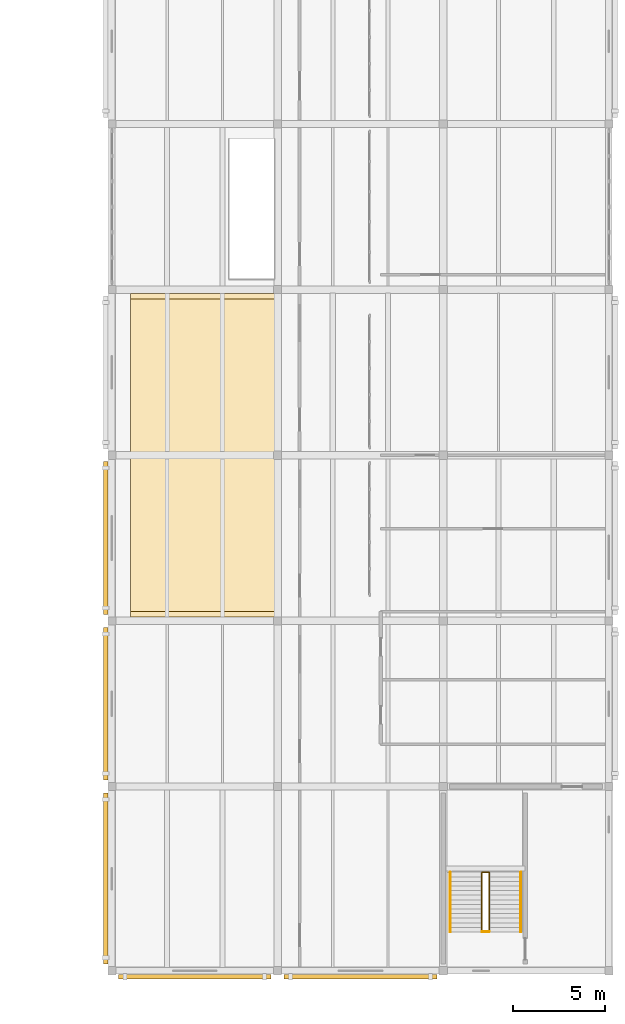
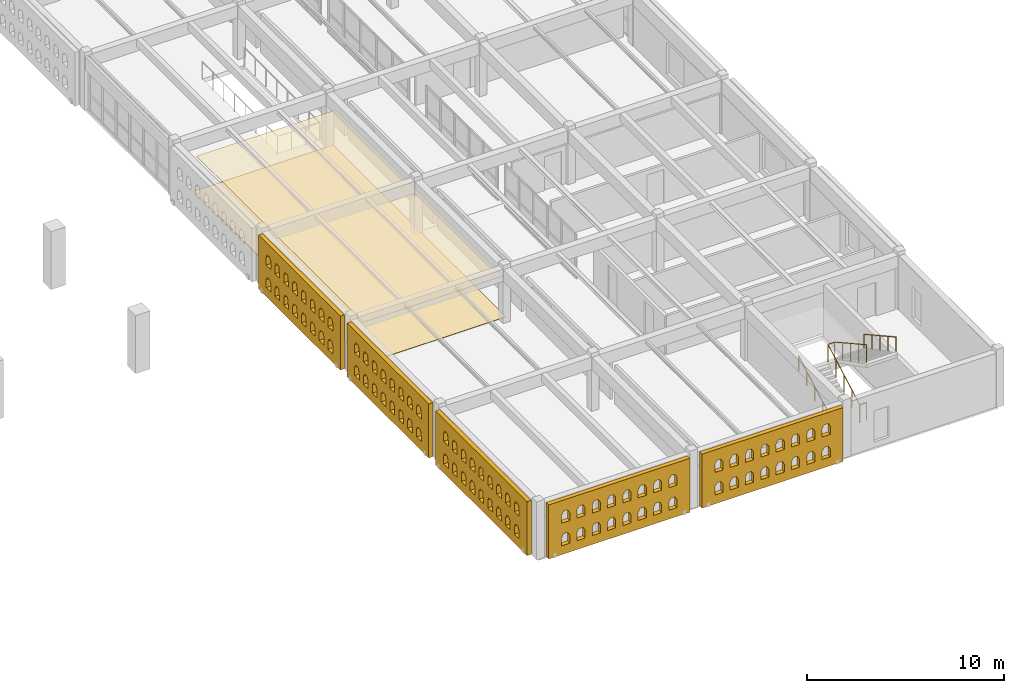
# One storey, part 77 of 80: 7 coverings, 4 railings.
"""IFC4 building model written with IfcOpenShell, lengths in metres."""

from ifc_helpers import new_model, si_unit, direction, frame, origin, origin_2d, place, context, subcontext, project, spatial, polyline, circle, outline, extrude, material, layer, layer_set, type_object, element, save


model = new_model("IFC4")

# Units and contexts
model_context = context("Model", 3, precision=1e-05, world=origin(), true_north=direction((0.0, 1.0)))
body_context = subcontext(model_context, "Body", "Model", "MODEL_VIEW")
ifc_project = project(units=[si_unit("LENGTHUNIT", "METRE"), si_unit("AREAUNIT", "SQUARE_METRE"), si_unit("VOLUMEUNIT", "CUBIC_METRE"), si_unit("PLANEANGLEUNIT", "RADIAN"), si_unit("MASSUNIT", "GRAM", prefix="KILO")], contexts=[model_context])

# Site, building, storey
site_placement = place(None, origin())
site = spatial("IfcSite", under=ifc_project, at=site_placement, CompositionType="ELEMENT")
building_placement = place(site_placement, origin())
building = spatial("IfcBuilding", under=site, at=building_placement, Name="Ornek Quay Market", CompositionType="ELEMENT")
storey_placement = place(building_placement, frame((0.0, 0.0, 8.39990234375)))
storey = spatial("IfcBuildingStorey", under=building, at=storey_placement, Name="L02", CompositionType="ELEMENT", Elevation=8.39990234375)

# Coverings
ifc_material_1 = material(Name="Frost-resistant facing clay brick M200 F100", Category="masonry")
ifc_layer_1 = layer(ifc_material_1, 0.25, Name="Frost-resistant facing clay brick M200 F100", Category="masonry")
ifc_layer_set_1 = layer_set([ifc_layer_1], Name="Frost-resistant facing clay brick M200 F100")
covering_type_1 = type_object("IfcCoveringType", Name="COV-BRICK-LATTICE-250", PredefinedType="CLADDING", material=ifc_layer_set_1)
covering_1_placement = place(storey_placement, frame((152.669921875, 10.35009765625, 0.0), z_axis=(0.0, 0.0, 1.0), x_axis=(0.0, 1.0, 0.0)))
element("IfcCovering", 1, at=covering_1_placement, inside=storey, type_object=covering_type_1, Name="Arched brick lattice screen BLS-108", PredefinedType="CLADDING", context=body_context, shape_type="SweptSolid", body=[
    extrude(outline(polyline([(0.0, 0.0), (9.2998046875, 0.0), (9.2998046875, 3.35009765625), (0.0, 3.35009765625), (0.0, 0.0)]), holes=[polyline([(0.81005859375, 0.550048828125), (1.2900390625, 0.550048828125), (1.2900390625, 1.050048828125), (1.169921875, 1.2578125), (0.929931640625, 1.2578125), (0.81005859375, 1.050048828125), (0.81005859375, 0.550048828125)]), polyline([(0.81005859375, 1.949951171875), (1.2900390625, 1.949951171875), (1.2900390625, 2.449951171875), (1.169921875, 2.65771484375), (0.929931640625, 2.65771484375), (0.81005859375, 2.449951171875), (0.81005859375, 1.949951171875)]), polyline([(1.7099609375, 0.550048828125), (2.18994140625, 0.550048828125), (2.18994140625, 1.050048828125), (2.070068359375, 1.2578125), (1.830078125, 1.2578125), (1.7099609375, 1.050048828125), (1.7099609375, 0.550048828125)]), polyline([(1.7099609375, 1.949951171875), (2.18994140625, 1.949951171875), (2.18994140625, 2.449951171875), (2.070068359375, 2.65771484375), (1.830078125, 2.65771484375), (1.7099609375, 2.449951171875), (1.7099609375, 1.949951171875)]), polyline([(2.610107421875, 0.550048828125), (3.090087890625, 0.550048828125), (3.090087890625, 1.050048828125), (2.969970703125, 1.2578125), (2.72998046875, 1.2578125), (2.610107421875, 1.050048828125), (2.610107421875, 0.550048828125)]), polyline([(2.610107421875, 1.949951171875), (3.090087890625, 1.949951171875), (3.090087890625, 2.449951171875), (2.969970703125, 2.65771484375), (2.72998046875, 2.65771484375), (2.610107421875, 2.449951171875), (2.610107421875, 1.949951171875)]), polyline([(3.510009765625, 0.550048828125), (3.989990234375, 0.550048828125), (3.989990234375, 1.050048828125), (3.8701171875, 1.2578125), (3.6298828125, 1.2578125), (3.510009765625, 1.050048828125), (3.510009765625, 0.550048828125)]), polyline([(3.510009765625, 1.949951171875), (3.989990234375, 1.949951171875), (3.989990234375, 2.449951171875), (3.8701171875, 2.65771484375), (3.6298828125, 2.65771484375), (3.510009765625, 2.449951171875), (3.510009765625, 1.949951171875)]), polyline([(4.409912109375, 0.550048828125), (4.889892578125, 0.550048828125), (4.889892578125, 1.050048828125), (4.77001953125, 1.2578125), (4.530029296875, 1.2578125), (4.409912109375, 1.050048828125), (4.409912109375, 0.550048828125)]), polyline([(4.409912109375, 1.949951171875), (4.889892578125, 1.949951171875), (4.889892578125, 2.449951171875), (4.77001953125, 2.65771484375), (4.530029296875, 2.65771484375), (4.409912109375, 2.449951171875), (4.409912109375, 1.949951171875)]), polyline([(5.31005859375, 0.550048828125), (5.7900390625, 0.550048828125), (5.7900390625, 1.050048828125), (5.669921875, 1.2578125), (5.429931640625, 1.2578125), (5.31005859375, 1.050048828125), (5.31005859375, 0.550048828125)]), polyline([(5.31005859375, 1.949951171875), (5.7900390625, 1.949951171875), (5.7900390625, 2.449951171875), (5.669921875, 2.65771484375), (5.429931640625, 2.65771484375), (5.31005859375, 2.449951171875), (5.31005859375, 1.949951171875)]), polyline([(6.2099609375, 0.550048828125), (6.68994140625, 0.550048828125), (6.68994140625, 1.050048828125), (6.570068359375, 1.2578125), (6.330078125, 1.2578125), (6.2099609375, 1.050048828125), (6.2099609375, 0.550048828125)]), polyline([(6.2099609375, 1.949951171875), (6.68994140625, 1.949951171875), (6.68994140625, 2.449951171875), (6.570068359375, 2.65771484375), (6.330078125, 2.65771484375), (6.2099609375, 2.449951171875), (6.2099609375, 1.949951171875)]), polyline([(7.110107421875, 0.550048828125), (7.590087890625, 0.550048828125), (7.590087890625, 1.050048828125), (7.469970703125, 1.2578125), (7.22998046875, 1.2578125), (7.110107421875, 1.050048828125), (7.110107421875, 0.550048828125)]), polyline([(7.110107421875, 1.949951171875), (7.590087890625, 1.949951171875), (7.590087890625, 2.449951171875), (7.469970703125, 2.65771484375), (7.22998046875, 2.65771484375), (7.110107421875, 2.449951171875), (7.110107421875, 1.949951171875)]), polyline([(8.010009765625, 0.550048828125), (8.489990234375, 0.550048828125), (8.489990234375, 1.050048828125), (8.3701171875, 1.2578125), (8.1298828125, 1.2578125), (8.010009765625, 1.050048828125), (8.010009765625, 0.550048828125)]), polyline([(8.010009765625, 1.949951171875), (8.489990234375, 1.949951171875), (8.489990234375, 2.449951171875), (8.3701171875, 2.65771484375), (8.1298828125, 2.65771484375), (8.010009765625, 2.449951171875), (8.010009765625, 1.949951171875)])]), frame((0.0, 0.125, 0.0), z_axis=(0.0, -1.0, 0.0), x_axis=(1.0, 0.0, 0.0)), (0.0, 0.0, 1.0), 0.25),
])
covering_2_placement = place(storey_placement, frame((152.669921875, 20.35009765625, 0.0), z_axis=(0.0, 0.0, 1.0), x_axis=(0.0, 1.0, 0.0)))
element("IfcCovering", 2, at=covering_2_placement, inside=storey, type_object=covering_type_1, Name="Arched brick lattice screen BLS-109", PredefinedType="CLADDING", context=body_context, shape_type="SweptSolid", body=[
    extrude(outline(polyline([(0.0, 0.0), (8.2998046875, 0.0), (8.2998046875, 3.35009765625), (0.0, 3.35009765625), (0.0, 0.0)]), holes=[polyline([(0.760009765625, 0.550048828125), (1.239990234375, 0.550048828125), (1.239990234375, 1.050048828125), (1.1201171875, 1.2578125), (0.8798828125, 1.2578125), (0.760009765625, 1.050048828125), (0.760009765625, 0.550048828125)]), polyline([(0.760009765625, 1.949951171875), (1.239990234375, 1.949951171875), (1.239990234375, 2.449951171875), (1.1201171875, 2.65771484375), (0.8798828125, 2.65771484375), (0.760009765625, 2.449951171875), (0.760009765625, 1.949951171875)]), polyline([(1.659912109375, 0.550048828125), (2.139892578125, 0.550048828125), (2.139892578125, 1.050048828125), (2.02001953125, 1.2578125), (1.780029296875, 1.2578125), (1.659912109375, 1.050048828125), (1.659912109375, 0.550048828125)]), polyline([(1.659912109375, 1.949951171875), (2.139892578125, 1.949951171875), (2.139892578125, 2.449951171875), (2.02001953125, 2.65771484375), (1.780029296875, 2.65771484375), (1.659912109375, 2.449951171875), (1.659912109375, 1.949951171875)]), polyline([(2.56005859375, 0.550048828125), (3.0400390625, 0.550048828125), (3.0400390625, 1.050048828125), (2.919921875, 1.2578125), (2.679931640625, 1.2578125), (2.56005859375, 1.050048828125), (2.56005859375, 0.550048828125)]), polyline([(2.56005859375, 1.949951171875), (3.0400390625, 1.949951171875), (3.0400390625, 2.449951171875), (2.919921875, 2.65771484375), (2.679931640625, 2.65771484375), (2.56005859375, 2.449951171875), (2.56005859375, 1.949951171875)]), polyline([(3.4599609375, 0.550048828125), (3.93994140625, 0.550048828125), (3.93994140625, 1.050048828125), (3.820068359375, 1.2578125), (3.580078125, 1.2578125), (3.4599609375, 1.050048828125), (3.4599609375, 0.550048828125)]), polyline([(3.4599609375, 1.949951171875), (3.93994140625, 1.949951171875), (3.93994140625, 2.449951171875), (3.820068359375, 2.65771484375), (3.580078125, 2.65771484375), (3.4599609375, 2.449951171875), (3.4599609375, 1.949951171875)]), polyline([(4.360107421875, 0.550048828125), (4.840087890625, 0.550048828125), (4.840087890625, 1.050048828125), (4.719970703125, 1.2578125), (4.47998046875, 1.2578125), (4.360107421875, 1.050048828125), (4.360107421875, 0.550048828125)]), polyline([(4.360107421875, 1.949951171875), (4.840087890625, 1.949951171875), (4.840087890625, 2.449951171875), (4.719970703125, 2.65771484375), (4.47998046875, 2.65771484375), (4.360107421875, 2.449951171875), (4.360107421875, 1.949951171875)]), polyline([(5.260009765625, 0.550048828125), (5.739990234375, 0.550048828125), (5.739990234375, 1.050048828125), (5.6201171875, 1.2578125), (5.3798828125, 1.2578125), (5.260009765625, 1.050048828125), (5.260009765625, 0.550048828125)]), polyline([(5.260009765625, 1.949951171875), (5.739990234375, 1.949951171875), (5.739990234375, 2.449951171875), (5.6201171875, 2.65771484375), (5.3798828125, 2.65771484375), (5.260009765625, 2.449951171875), (5.260009765625, 1.949951171875)]), polyline([(6.159912109375, 0.550048828125), (6.639892578125, 0.550048828125), (6.639892578125, 1.050048828125), (6.52001953125, 1.2578125), (6.280029296875, 1.2578125), (6.159912109375, 1.050048828125), (6.159912109375, 0.550048828125)]), polyline([(6.159912109375, 1.949951171875), (6.639892578125, 1.949951171875), (6.639892578125, 2.449951171875), (6.52001953125, 2.65771484375), (6.280029296875, 2.65771484375), (6.159912109375, 2.449951171875), (6.159912109375, 1.949951171875)]), polyline([(7.06005859375, 0.550048828125), (7.5400390625, 0.550048828125), (7.5400390625, 1.050048828125), (7.419921875, 1.2578125), (7.179931640625, 1.2578125), (7.06005859375, 1.050048828125), (7.06005859375, 0.550048828125)]), polyline([(7.06005859375, 1.949951171875), (7.5400390625, 1.949951171875), (7.5400390625, 2.449951171875), (7.419921875, 2.65771484375), (7.179931640625, 2.65771484375), (7.06005859375, 2.449951171875), (7.06005859375, 1.949951171875)])]), frame((0.0, 0.125, 0.0), z_axis=(0.0, -1.0, 0.0), x_axis=(1.0, 0.0, 0.0)), (0.0, 0.0, 1.0), 0.25),
])
covering_3_placement = place(storey_placement, frame((152.669921875, 29.35009765625, 0.0), z_axis=(0.0, 0.0, 1.0), x_axis=(0.0, 1.0, 0.0)))
element("IfcCovering", 3, at=covering_3_placement, inside=storey, type_object=covering_type_1, Name="Arched brick lattice screen BLS-110", PredefinedType="CLADDING", context=body_context, shape_type="SweptSolid", body=[
    extrude(outline(polyline([(0.0, 0.0), (8.2998046875, 0.0), (8.2998046875, 3.35009765625), (0.0, 3.35009765625), (0.0, 0.0)]), holes=[polyline([(0.760009765625, 0.550048828125), (1.239990234375, 0.550048828125), (1.239990234375, 1.050048828125), (1.1201171875, 1.2578125), (0.8798828125, 1.2578125), (0.760009765625, 1.050048828125), (0.760009765625, 0.550048828125)]), polyline([(0.760009765625, 1.949951171875), (1.239990234375, 1.949951171875), (1.239990234375, 2.449951171875), (1.1201171875, 2.65771484375), (0.8798828125, 2.65771484375), (0.760009765625, 2.449951171875), (0.760009765625, 1.949951171875)]), polyline([(1.659912109375, 0.550048828125), (2.139892578125, 0.550048828125), (2.139892578125, 1.050048828125), (2.02001953125, 1.2578125), (1.780029296875, 1.2578125), (1.659912109375, 1.050048828125), (1.659912109375, 0.550048828125)]), polyline([(1.659912109375, 1.949951171875), (2.139892578125, 1.949951171875), (2.139892578125, 2.449951171875), (2.02001953125, 2.65771484375), (1.780029296875, 2.65771484375), (1.659912109375, 2.449951171875), (1.659912109375, 1.949951171875)]), polyline([(2.56005859375, 0.550048828125), (3.0400390625, 0.550048828125), (3.0400390625, 1.050048828125), (2.919921875, 1.2578125), (2.679931640625, 1.2578125), (2.56005859375, 1.050048828125), (2.56005859375, 0.550048828125)]), polyline([(2.56005859375, 1.949951171875), (3.0400390625, 1.949951171875), (3.0400390625, 2.449951171875), (2.919921875, 2.65771484375), (2.679931640625, 2.65771484375), (2.56005859375, 2.449951171875), (2.56005859375, 1.949951171875)]), polyline([(3.4599609375, 0.550048828125), (3.93994140625, 0.550048828125), (3.93994140625, 1.050048828125), (3.820068359375, 1.2578125), (3.580078125, 1.2578125), (3.4599609375, 1.050048828125), (3.4599609375, 0.550048828125)]), polyline([(3.4599609375, 1.949951171875), (3.93994140625, 1.949951171875), (3.93994140625, 2.449951171875), (3.820068359375, 2.65771484375), (3.580078125, 2.65771484375), (3.4599609375, 2.449951171875), (3.4599609375, 1.949951171875)]), polyline([(4.360107421875, 0.550048828125), (4.840087890625, 0.550048828125), (4.840087890625, 1.050048828125), (4.719970703125, 1.2578125), (4.47998046875, 1.2578125), (4.360107421875, 1.050048828125), (4.360107421875, 0.550048828125)]), polyline([(4.360107421875, 1.949951171875), (4.840087890625, 1.949951171875), (4.840087890625, 2.449951171875), (4.719970703125, 2.65771484375), (4.47998046875, 2.65771484375), (4.360107421875, 2.449951171875), (4.360107421875, 1.949951171875)]), polyline([(5.260009765625, 0.550048828125), (5.739990234375, 0.550048828125), (5.739990234375, 1.050048828125), (5.6201171875, 1.2578125), (5.3798828125, 1.2578125), (5.260009765625, 1.050048828125), (5.260009765625, 0.550048828125)]), polyline([(5.260009765625, 1.949951171875), (5.739990234375, 1.949951171875), (5.739990234375, 2.449951171875), (5.6201171875, 2.65771484375), (5.3798828125, 2.65771484375), (5.260009765625, 2.449951171875), (5.260009765625, 1.949951171875)]), polyline([(6.159912109375, 0.550048828125), (6.639892578125, 0.550048828125), (6.639892578125, 1.050048828125), (6.52001953125, 1.2578125), (6.280029296875, 1.2578125), (6.159912109375, 1.050048828125), (6.159912109375, 0.550048828125)]), polyline([(6.159912109375, 1.949951171875), (6.639892578125, 1.949951171875), (6.639892578125, 2.449951171875), (6.52001953125, 2.65771484375), (6.280029296875, 2.65771484375), (6.159912109375, 2.449951171875), (6.159912109375, 1.949951171875)]), polyline([(7.06005859375, 0.550048828125), (7.5400390625, 0.550048828125), (7.5400390625, 1.050048828125), (7.419921875, 1.2578125), (7.179931640625, 1.2578125), (7.06005859375, 1.050048828125), (7.06005859375, 0.550048828125)]), polyline([(7.06005859375, 1.949951171875), (7.5400390625, 1.949951171875), (7.5400390625, 2.449951171875), (7.419921875, 2.65771484375), (7.179931640625, 2.65771484375), (7.06005859375, 2.449951171875), (7.06005859375, 1.949951171875)])]), frame((0.0, 0.125, 0.0), z_axis=(0.0, -1.0, 0.0), x_axis=(1.0, 0.0, 0.0)), (0.0, 0.0, 1.0), 0.25),
])
covering_4_placement = place(storey_placement, frame((153.35009765625, 9.669921875, 0.0), z_axis=(0.0, 0.0, 1.0), x_axis=(1.0, 0.0, 0.0)))
element("IfcCovering", 4, at=covering_4_placement, inside=storey, type_object=covering_type_1, Name="Arched brick lattice screen BLS-117", PredefinedType="CLADDING", context=body_context, shape_type="SweptSolid", body=[
    extrude(outline(polyline([(0.0, 0.0), (8.2998046875, 0.0), (8.2998046875, 3.35009765625), (0.0, 3.35009765625), (0.0, 0.0)]), holes=[polyline([(0.760009765625, 0.550048828125), (1.239990234375, 0.550048828125), (1.239990234375, 1.050048828125), (1.1201171875, 1.2578125), (0.8798828125, 1.2578125), (0.760009765625, 1.050048828125), (0.760009765625, 0.550048828125)]), polyline([(0.760009765625, 1.949951171875), (1.239990234375, 1.949951171875), (1.239990234375, 2.449951171875), (1.1201171875, 2.65771484375), (0.8798828125, 2.65771484375), (0.760009765625, 2.449951171875), (0.760009765625, 1.949951171875)]), polyline([(1.659912109375, 0.550048828125), (2.139892578125, 0.550048828125), (2.139892578125, 1.050048828125), (2.02001953125, 1.2578125), (1.780029296875, 1.2578125), (1.659912109375, 1.050048828125), (1.659912109375, 0.550048828125)]), polyline([(1.659912109375, 1.949951171875), (2.139892578125, 1.949951171875), (2.139892578125, 2.449951171875), (2.02001953125, 2.65771484375), (1.780029296875, 2.65771484375), (1.659912109375, 2.449951171875), (1.659912109375, 1.949951171875)]), polyline([(2.56005859375, 0.550048828125), (3.0400390625, 0.550048828125), (3.0400390625, 1.050048828125), (2.919921875, 1.2578125), (2.679931640625, 1.2578125), (2.56005859375, 1.050048828125), (2.56005859375, 0.550048828125)]), polyline([(2.56005859375, 1.949951171875), (3.0400390625, 1.949951171875), (3.0400390625, 2.449951171875), (2.919921875, 2.65771484375), (2.679931640625, 2.65771484375), (2.56005859375, 2.449951171875), (2.56005859375, 1.949951171875)]), polyline([(3.4599609375, 0.550048828125), (3.93994140625, 0.550048828125), (3.93994140625, 1.050048828125), (3.820068359375, 1.2578125), (3.580078125, 1.2578125), (3.4599609375, 1.050048828125), (3.4599609375, 0.550048828125)]), polyline([(3.4599609375, 1.949951171875), (3.93994140625, 1.949951171875), (3.93994140625, 2.449951171875), (3.820068359375, 2.65771484375), (3.580078125, 2.65771484375), (3.4599609375, 2.449951171875), (3.4599609375, 1.949951171875)]), polyline([(4.360107421875, 0.550048828125), (4.840087890625, 0.550048828125), (4.840087890625, 1.050048828125), (4.719970703125, 1.2578125), (4.47998046875, 1.2578125), (4.360107421875, 1.050048828125), (4.360107421875, 0.550048828125)]), polyline([(4.360107421875, 1.949951171875), (4.840087890625, 1.949951171875), (4.840087890625, 2.449951171875), (4.719970703125, 2.65771484375), (4.47998046875, 2.65771484375), (4.360107421875, 2.449951171875), (4.360107421875, 1.949951171875)]), polyline([(5.260009765625, 0.550048828125), (5.739990234375, 0.550048828125), (5.739990234375, 1.050048828125), (5.6201171875, 1.2578125), (5.3798828125, 1.2578125), (5.260009765625, 1.050048828125), (5.260009765625, 0.550048828125)]), polyline([(5.260009765625, 1.949951171875), (5.739990234375, 1.949951171875), (5.739990234375, 2.449951171875), (5.6201171875, 2.65771484375), (5.3798828125, 2.65771484375), (5.260009765625, 2.449951171875), (5.260009765625, 1.949951171875)]), polyline([(6.159912109375, 0.550048828125), (6.639892578125, 0.550048828125), (6.639892578125, 1.050048828125), (6.52001953125, 1.2578125), (6.280029296875, 1.2578125), (6.159912109375, 1.050048828125), (6.159912109375, 0.550048828125)]), polyline([(6.159912109375, 1.949951171875), (6.639892578125, 1.949951171875), (6.639892578125, 2.449951171875), (6.52001953125, 2.65771484375), (6.280029296875, 2.65771484375), (6.159912109375, 2.449951171875), (6.159912109375, 1.949951171875)]), polyline([(7.06005859375, 0.550048828125), (7.5400390625, 0.550048828125), (7.5400390625, 1.050048828125), (7.419921875, 1.2578125), (7.179931640625, 1.2578125), (7.06005859375, 1.050048828125), (7.06005859375, 0.550048828125)]), polyline([(7.06005859375, 1.949951171875), (7.5400390625, 1.949951171875), (7.5400390625, 2.449951171875), (7.419921875, 2.65771484375), (7.179931640625, 2.65771484375), (7.06005859375, 2.449951171875), (7.06005859375, 1.949951171875)])]), frame((0.0, 0.125, 0.0), z_axis=(0.0, -1.0, 0.0), x_axis=(1.0, 0.0, 0.0)), (0.0, 0.0, 1.0), 0.25),
])
covering_5_placement = place(storey_placement, frame((162.35009765625, 9.669921875, 0.0), z_axis=(0.0, 0.0, 1.0), x_axis=(1.0, 0.0, 0.0)))
element("IfcCovering", 5, at=covering_5_placement, inside=storey, type_object=covering_type_1, Name="Arched brick lattice screen BLS-118", PredefinedType="CLADDING", context=body_context, shape_type="SweptSolid", body=[
    extrude(outline(polyline([(0.0, 0.0), (8.2998046875, 0.0), (8.2998046875, 3.35009765625), (0.0, 3.35009765625), (0.0, 0.0)]), holes=[polyline([(0.760009765625, 0.550048828125), (1.239990234375, 0.550048828125), (1.239990234375, 1.050048828125), (1.1201171875, 1.2578125), (0.8798828125, 1.2578125), (0.760009765625, 1.050048828125), (0.760009765625, 0.550048828125)]), polyline([(0.760009765625, 1.949951171875), (1.239990234375, 1.949951171875), (1.239990234375, 2.449951171875), (1.1201171875, 2.65771484375), (0.8798828125, 2.65771484375), (0.760009765625, 2.449951171875), (0.760009765625, 1.949951171875)]), polyline([(1.659912109375, 0.550048828125), (2.139892578125, 0.550048828125), (2.139892578125, 1.050048828125), (2.02001953125, 1.2578125), (1.780029296875, 1.2578125), (1.659912109375, 1.050048828125), (1.659912109375, 0.550048828125)]), polyline([(1.659912109375, 1.949951171875), (2.139892578125, 1.949951171875), (2.139892578125, 2.449951171875), (2.02001953125, 2.65771484375), (1.780029296875, 2.65771484375), (1.659912109375, 2.449951171875), (1.659912109375, 1.949951171875)]), polyline([(2.56005859375, 0.550048828125), (3.0400390625, 0.550048828125), (3.0400390625, 1.050048828125), (2.919921875, 1.2578125), (2.679931640625, 1.2578125), (2.56005859375, 1.050048828125), (2.56005859375, 0.550048828125)]), polyline([(2.56005859375, 1.949951171875), (3.0400390625, 1.949951171875), (3.0400390625, 2.449951171875), (2.919921875, 2.65771484375), (2.679931640625, 2.65771484375), (2.56005859375, 2.449951171875), (2.56005859375, 1.949951171875)]), polyline([(3.4599609375, 0.550048828125), (3.93994140625, 0.550048828125), (3.93994140625, 1.050048828125), (3.820068359375, 1.2578125), (3.580078125, 1.2578125), (3.4599609375, 1.050048828125), (3.4599609375, 0.550048828125)]), polyline([(3.4599609375, 1.949951171875), (3.93994140625, 1.949951171875), (3.93994140625, 2.449951171875), (3.820068359375, 2.65771484375), (3.580078125, 2.65771484375), (3.4599609375, 2.449951171875), (3.4599609375, 1.949951171875)]), polyline([(4.360107421875, 0.550048828125), (4.840087890625, 0.550048828125), (4.840087890625, 1.050048828125), (4.719970703125, 1.2578125), (4.47998046875, 1.2578125), (4.360107421875, 1.050048828125), (4.360107421875, 0.550048828125)]), polyline([(4.360107421875, 1.949951171875), (4.840087890625, 1.949951171875), (4.840087890625, 2.449951171875), (4.719970703125, 2.65771484375), (4.47998046875, 2.65771484375), (4.360107421875, 2.449951171875), (4.360107421875, 1.949951171875)]), polyline([(5.260009765625, 0.550048828125), (5.739990234375, 0.550048828125), (5.739990234375, 1.050048828125), (5.6201171875, 1.2578125), (5.3798828125, 1.2578125), (5.260009765625, 1.050048828125), (5.260009765625, 0.550048828125)]), polyline([(5.260009765625, 1.949951171875), (5.739990234375, 1.949951171875), (5.739990234375, 2.449951171875), (5.6201171875, 2.65771484375), (5.3798828125, 2.65771484375), (5.260009765625, 2.449951171875), (5.260009765625, 1.949951171875)]), polyline([(6.159912109375, 0.550048828125), (6.639892578125, 0.550048828125), (6.639892578125, 1.050048828125), (6.52001953125, 1.2578125), (6.280029296875, 1.2578125), (6.159912109375, 1.050048828125), (6.159912109375, 0.550048828125)]), polyline([(6.159912109375, 1.949951171875), (6.639892578125, 1.949951171875), (6.639892578125, 2.449951171875), (6.52001953125, 2.65771484375), (6.280029296875, 2.65771484375), (6.159912109375, 2.449951171875), (6.159912109375, 1.949951171875)]), polyline([(7.06005859375, 0.550048828125), (7.5400390625, 0.550048828125), (7.5400390625, 1.050048828125), (7.419921875, 1.2578125), (7.179931640625, 1.2578125), (7.06005859375, 1.050048828125), (7.06005859375, 0.550048828125)]), polyline([(7.06005859375, 1.949951171875), (7.5400390625, 1.949951171875), (7.5400390625, 2.449951171875), (7.419921875, 2.65771484375), (7.179931640625, 2.65771484375), (7.06005859375, 2.449951171875), (7.06005859375, 1.949951171875)])]), frame((0.0, 0.125, 0.0), z_axis=(0.0, -1.0, 0.0), x_axis=(1.0, 0.0, 0.0)), (0.0, 0.0, 1.0), 0.25),
])
ifc_material_2 = material(Name="Moisture-resistant acoustic gypsum ceiling", Category="other")
ifc_layer_2 = layer(ifc_material_2, 0.030029296875, Name="Moisture-resistant acoustic gypsum ceiling", Category="other")
ifc_layer_set_2 = layer_set([ifc_layer_2], Name="Moisture-resistant acoustic gypsum ceiling")
covering_type_2 = type_object("IfcCoveringType", Name="COV-CEIL-GYP-30", PredefinedType="CEILING", material=ifc_layer_set_2)
covering_6_placement = place(storey_placement, frame((0.0, 0.0, 2.35009765625)))
element("IfcCovering", 6, at=covering_6_placement, inside=storey, type_object=covering_type_2, Name="Suspended acoustic ceiling CLG-09", PredefinedType="CEILING", context=body_context, shape_type="SweptSolid", body=[
    extrude(outline(polyline([(154.0, 29.5), (162.199951171875, 29.5), (162.199951171875, 46.5), (154.0, 46.5), (154.0, 29.5)])), origin(), (0.0, 0.0, 1.0), 0.030029296875),
])
ifc_material_3 = material(Name="Hygienic slip-resistant polyurethane food-grade screed", Category="other")
ifc_layer_3 = layer(ifc_material_3, 0.02001953125, Name="Hygienic slip-resistant polyurethane food-grade screed", Category="other")
ifc_layer_set_3 = layer_set([ifc_layer_3], Name="Hygienic slip-resistant polyurethane food-grade screed")
covering_type_3 = type_object("IfcCoveringType", Name="COV-FLR-RESIN-20", PredefinedType="FLOORING", material=ifc_layer_set_3)
covering_7_placement = place(storey_placement, origin())
element("IfcCovering", 7, at=covering_7_placement, inside=storey, type_object=covering_type_3, Name="Finished flooring FLG-18", PredefinedType="FLOORING", context=body_context, shape_type="SweptSolid", body=[
    extrude(outline(polyline([(154.0, 29.199951171875), (162.199951171875, 29.199951171875), (162.199951171875, 46.800048828125), (154.0, 46.800048828125), (154.0, 29.199951171875)])), origin(), (0.0, 0.0, 1.0), 0.02001953125),
])

# Railings
ifc_material_4 = material(Name="Brushed stainless steel 316", Category="steel")
railing_type_1 = type_object("IfcRailingType", Name="RL-GUARD-STAIR-1100", PredefinedType="GUARDRAIL", material=ifc_material_4)
railing_1_placement = place(storey_placement, frame((173.10009765625, 12.1201171875, 0.0)))
element("IfcRailing", 8, at=railing_1_placement, inside=storey, type_object=railing_type_1, Name="Railing GR-03-060", PredefinedType="GUARDRAIL", context=body_context, shape_type="SweptSolid", body=[
    extrude(circle(Radius=0.02392578125, at=origin_2d()), frame((0.0, 0.0, 1.09619140625), z_axis=(1.0, 0.0, 0.0), x_axis=(0.0, 1.0, 0.0)), (0.0, 0.0, 1.0), 0.39990234375),
    extrude(circle(Radius=0.02099609375, at=origin_2d()), origin(), (0.0, 0.0, 1.0), 1.068115234375),
    extrude(circle(Radius=0.02099609375, at=origin_2d()), frame((0.39990234375, 0.0, 0.0)), (0.0, 0.0, 1.0), 1.068115234375),
])
railing_2_placement = place(storey_placement, frame((173.10009765625, 12.095947265625, 0.0)))
element("IfcRailing", 9, at=railing_2_placement, inside=storey, type_object=railing_type_1, Name="Railing GR-03-061", PredefinedType="GUARDRAIL", context=body_context, shape_type="SweptSolid", body=[
    extrude(circle(Radius=0.02392578125, at=origin_2d()), frame((0.0, 0.0, 1.09619140625), z_axis=(0.0, 0.874538622819, 0.484955871393), x_axis=(-1.0, 0.0, 0.0)), (0.0, 0.0, 1.0), 3.681884765625),
    extrude(circle(Radius=0.02392578125, at=origin_2d()), frame((0.030029296875, 3.24609375, 2.89599609375), z_axis=(1.0, 0.0, 0.0), x_axis=(0.0, 1.0, 0.0)), (0.0, 0.0, 1.0), 0.33984375),
    extrude(circle(Radius=0.02392578125, at=origin_2d()), frame((0.39990234375, 3.219970703125, 2.91064453125), z_axis=(0.0, -0.874275263503, 0.485430493095), x_axis=(1.0, 0.0, 0.0)), (0.0, 0.0, 1.0), 3.67822265625),
    extrude(circle(Radius=0.02099609375, at=origin_2d()), origin(), (0.0, 0.0, 1.0), 1.068115234375),
    extrude(circle(Radius=0.02099609375, at=origin_2d()), frame((0.0, 0.8115234375, 0.449951171875)), (0.0, 0.0, 1.0), 1.068115234375),
    extrude(circle(Radius=0.02099609375, at=origin_2d()), frame((0.0, 1.623046875, 0.89990234375)), (0.0, 0.0, 1.0), 1.068115234375),
    extrude(circle(Radius=0.02099609375, at=origin_2d()), frame((0.0, 2.4345703125, 1.35009765625)), (0.0, 0.0, 1.0), 1.068115234375),
    extrude(circle(Radius=0.02099609375, at=origin_2d()), frame((0.0, 3.24609375, 1.800048828125)), (0.0, 0.0, 1.0), 1.068115234375),
    extrude(circle(Radius=0.02099609375, at=origin_2d()), frame((0.39990234375, 3.24609375, 1.800048828125)), (0.0, 0.0, 1.0), 1.068115234375),
    extrude(circle(Radius=0.02099609375, at=origin_2d()), frame((0.39990234375, 2.435546875, 2.25)), (0.0, 0.0, 1.0), 1.068115234375),
    extrude(circle(Radius=0.02099609375, at=origin_2d()), frame((0.39990234375, 1.625, 2.7001953125)), (0.0, 0.0, 1.0), 1.068115234375),
    extrude(circle(Radius=0.02099609375, at=origin_2d()), frame((0.39990234375, 0.814697265625, 3.150146484375)), (0.0, 0.0, 1.0), 1.068115234375),
    extrude(circle(Radius=0.02099609375, at=origin_2d()), frame((0.39990234375, 0.004150390625, 3.60009765625)), (0.0, 0.0, 1.0), 1.068115234375),
])
railing_type_2 = type_object("IfcRailingType", Name="RL-HANDRAIL-920", PredefinedType="HANDRAIL", material=ifc_material_4)
railing_3_placement = place(storey_placement, frame((171.3798828125, 12.095947265625, 0.080078125)))
element("IfcRailing", 10, at=railing_3_placement, inside=storey, type_object=railing_type_2, Name="Railing HR-01-062", PredefinedType="HANDRAIL", context=body_context, shape_type="SweptSolid", body=[
    extrude(circle(Radius=0.02392578125, at=origin_2d()), frame((0.0, 0.0, 0.89599609375), z_axis=(0.0, 0.874538622819, 0.484955871393), x_axis=(-1.0, 0.0, 0.0)), (0.0, 0.0, 1.0), 3.711669921875),
    extrude(circle(Radius=0.02099609375, at=origin_2d()), origin(), (0.0, 0.0, 1.0), 0.867919921875),
    extrude(circle(Radius=0.02099609375, at=origin_2d()), frame((0.0, 0.8115234375, 0.449951171875)), (0.0, 0.0, 1.0), 0.867919921875),
    extrude(circle(Radius=0.02099609375, at=origin_2d()), frame((0.0, 1.623046875, 0.89990234375)), (0.0, 0.0, 1.0), 0.867919921875),
    extrude(circle(Radius=0.02099609375, at=origin_2d()), frame((0.0, 2.4345703125, 1.35009765625)), (0.0, 0.0, 1.0), 0.867919921875),
    extrude(circle(Radius=0.02099609375, at=origin_2d()), frame((0.0, 3.24609375, 1.800048828125)), (0.0, 0.0, 1.0), 0.867919921875),
])
railing_4_placement = place(storey_placement, frame((175.219970703125, 15.342041015625, 1.880126953125)))
element("IfcRailing", 11, at=railing_4_placement, inside=storey, type_object=railing_type_2, Name="Railing HR-01-063", PredefinedType="HANDRAIL", context=body_context, shape_type="SweptSolid", body=[
    extrude(circle(Radius=0.02392578125, at=origin_2d()), frame((0.0, 0.0, 0.89599609375), z_axis=(0.0, -0.874275263503, 0.485430493095), x_axis=(1.0, 0.0, 0.0)), (0.0, 0.0, 1.0), 3.708251953125),
    extrude(circle(Radius=0.02099609375, at=origin_2d()), origin(), (0.0, 0.0, 1.0), 0.867919921875),
    extrude(circle(Radius=0.02099609375, at=origin_2d()), frame((0.0, -0.810546875, 0.449951171875)), (0.0, 0.0, 1.0), 0.867919921875),
    extrude(circle(Radius=0.02099609375, at=origin_2d()), frame((0.0, -1.62109375, 0.89990234375)), (0.0, 0.0, 1.0), 0.867919921875),
    extrude(circle(Radius=0.02099609375, at=origin_2d()), frame((0.0, -2.431396484375, 1.35009765625)), (0.0, 0.0, 1.0), 0.867919921875),
    extrude(circle(Radius=0.02099609375, at=origin_2d()), frame((0.0, -3.241943359375, 1.800048828125)), (0.0, 0.0, 1.0), 0.867919921875),
])

save(model, "model.ifc")
